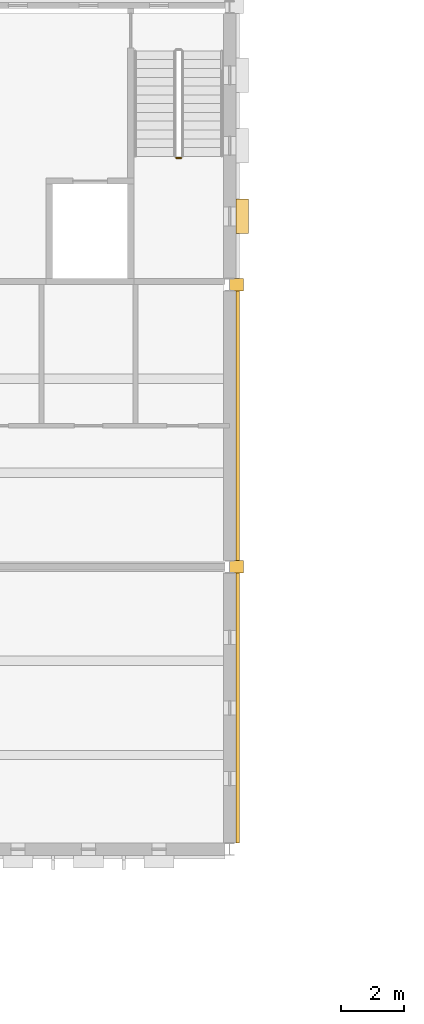
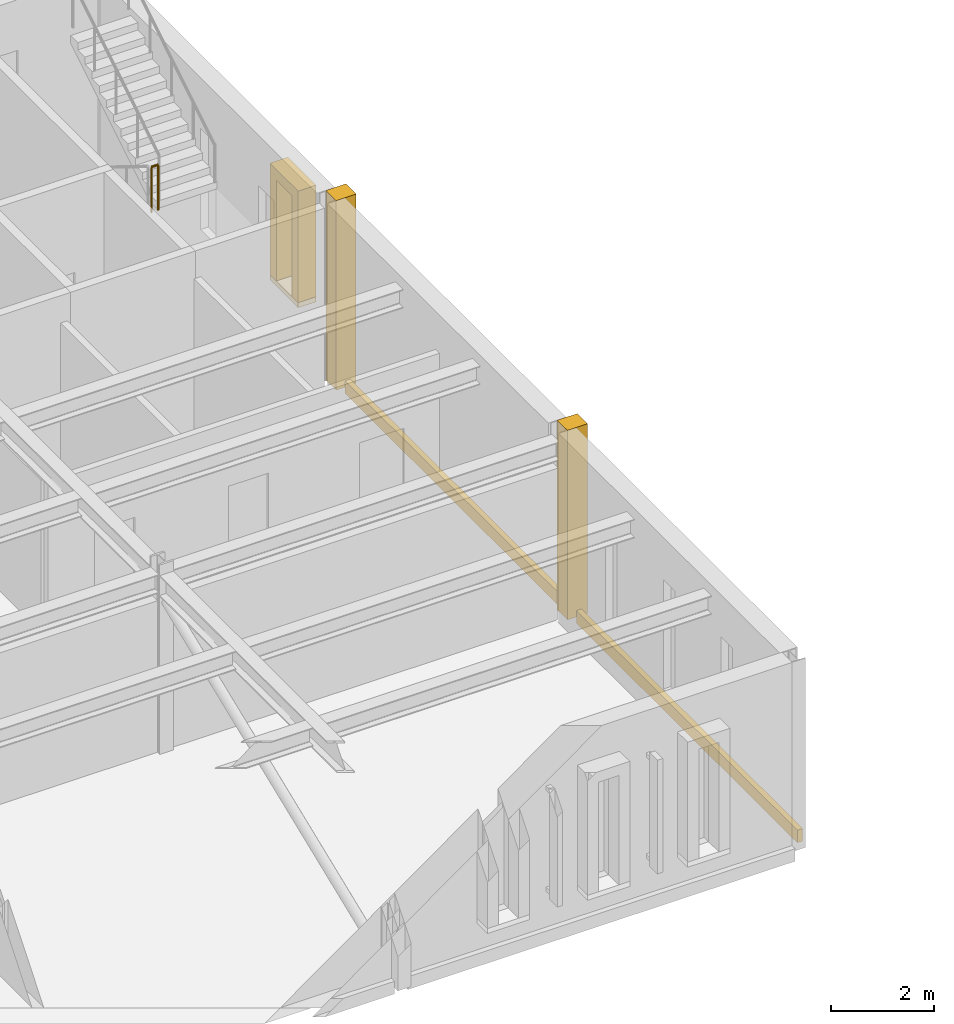
# One storey, part 91 of 111: 6 coverings, 1 railing.
"""IFC4 building model written with IfcOpenShell, lengths in metres."""

from ifc_helpers import new_model, si_unit, direction, frame, origin, origin_2d, place, context, subcontext, project, spatial, polyline, rectangle, circle, outline, extrude, material, layer, layer_set, type_object, element, save


model = new_model("IFC4")

# Units and contexts
model_context = context("Model", 3, precision=1e-05, world=origin(), true_north=direction((0.0, 1.0)))
body_context = subcontext(model_context, "Body", "Model", "MODEL_VIEW")
ifc_project = project(units=[si_unit("LENGTHUNIT", "METRE"), si_unit("AREAUNIT", "SQUARE_METRE"), si_unit("VOLUMEUNIT", "CUBIC_METRE"), si_unit("PLANEANGLEUNIT", "RADIAN"), si_unit("MASSUNIT", "GRAM", prefix="KILO")], contexts=[model_context])

# Site, building, storey
site_placement = place(None, origin())
site = spatial("IfcSite", under=ifc_project, at=site_placement, CompositionType="ELEMENT")
building_placement = place(site_placement, origin())
building = spatial("IfcBuilding", under=site, at=building_placement, Name="Kallimachos Central Library", CompositionType="ELEMENT")
storey_placement = place(building_placement, frame((0.0, 0.0, 14.39990234375)))
storey = spatial("IfcBuildingStorey", under=building, at=storey_placement, Name="L03", CompositionType="ELEMENT", Elevation=14.39990234375)

# Coverings
ifc_material_1 = material(Name="Pentelic marble pilaster", Category="masonry")
ifc_layer_1 = layer(ifc_material_1, 0.25)
ifc_layer_set_1 = layer_set([ifc_layer_1], Name="Stone pilaster 250")
covering_type_1 = type_object("IfcCoveringType", Name="Stone pilaster 250", PredefinedType="CLADDING", material=ifc_layer_set_1)
for number, where, z_axis, x_axis, name in (
    (1, (101.72509765625, 27.0, 0.0), (0.0, 0.0, 1.0), (1.0, 0.0, 0.0), "Stone pilaster 250 -L03-019"),
    (2, (101.72509765625, 36.0, 0.0), (0.0, 0.0, 1.0), (1.0, 0.0, 0.0), "Stone pilaster 250 -L03-020"),
):
    element("IfcCovering", number, at=place(storey_placement, frame(where, z_axis=z_axis, x_axis=x_axis)), inside=storey, type_object=covering_type_1, Name=name, PredefinedType="CLADDING", context=body_context, shape_type="SweptSolid", body=[
        extrude(rectangle(XDim=0.449951171875, YDim=0.39990234375, at=origin_2d()), origin(), (0.0, 0.0, 1.0), 4.5),
    ])
ifc_material_2 = material(Name="Pentelic marble string course", Category="masonry")
ifc_layer_2 = layer(ifc_material_2, 0.1201171875)
ifc_layer_set_2 = layer_set([ifc_layer_2], Name="Stone string course 300")
covering_type_2 = type_object("IfcCoveringType", Name="Stone string course 300", PredefinedType="MOLDING", material=ifc_layer_set_2)
for number, where, z_axis, x_axis, name in (
    (3, (101.760009765625, 22.5, -0.14990234375), (0.0, 0.0, 1.0), (1.0, 0.0, 0.0), "Stone string course 300 -L03-019"),
    (4, (101.760009765625, 31.5, -0.14990234375), (0.0, 0.0, 1.0), (1.0, 0.0, 0.0), "Stone string course 300 -L03-020"),
):
    element("IfcCovering", number, at=place(storey_placement, frame(where, z_axis=z_axis, x_axis=x_axis)), inside=storey, type_object=covering_type_2, Name=name, PredefinedType="MOLDING", context=body_context, shape_type="SweptSolid", body=[
        extrude(rectangle(XDim=0.1201171875, YDim=8.60009765625, at=origin_2d()), origin(), (0.0, 0.0, 1.0), 0.300048828125),
    ])
ifc_material_3 = material(Name="Pentelic marble window sill", Category="masonry")
ifc_layer_3 = layer(ifc_material_3, 0.39990234375)
ifc_layer_set_3 = layer_set([ifc_layer_3], Name="Tower window sill block 400")
covering_type_3 = type_object("IfcCoveringType", Name="Tower window sill block 400", PredefinedType="MOLDING", material=ifc_layer_set_3)
covering_1_placement = place(storey_placement, frame((101.89990234375, 38.175048828125, 0.780029296875), z_axis=(0.0, 0.0, 1.0), x_axis=(1.0, 0.0, 0.0)))
element("IfcCovering", 5, at=covering_1_placement, inside=storey, type_object=covering_type_3, Name="Tower window sill block", PredefinedType="MOLDING", context=body_context, shape_type="SweptSolid", body=[
    extrude(rectangle(XDim=0.39990234375, YDim=1.10009765625, at=origin_2d()), origin(), (0.0, 0.0, 1.0), 0.1201171875),
])
ifc_material_4 = material(Name="Pentelic marble window surround", Category="masonry")
ifc_layer_4 = layer(ifc_material_4, 0.39990234375)
ifc_layer_set_4 = layer_set([ifc_layer_4], Name="Tower window surround 400")
covering_type_4 = type_object("IfcCoveringType", Name="Tower window surround 400", PredefinedType="MOLDING", material=ifc_layer_set_4)
covering_2_placement = place(storey_placement, frame((102.10009765625, 37.875, 0.900146484375), z_axis=(1.0, 0.0, 0.0), x_axis=(0.0, 0.0, 1.0)))
element("IfcCovering", 6, at=covering_2_placement, inside=storey, type_object=covering_type_4, Name="Tower window surround -WIN-L03-029", PredefinedType="MOLDING", context=body_context, shape_type="SweptSolid", body=[
    extrude(outline(polyline([(0.0, 0.0), (2.39990234375, 0.0), (2.39990234375, -0.60009765625), (0.0, -0.60009765625), (0.0, -0.85009765625), (2.64990234375, -0.85009765625), (2.64990234375, 0.25), (0.0, 0.25), (0.0, 0.0)])), origin(), (0.0, 0.0, -1.0), 0.39990234375),
])

# Railing
ifc_material_5 = material(Name="Steel S355J2", Category="steel")
railing_type = type_object("IfcRailingType", Name="Wrought-iron guard 1100", PredefinedType="GUARDRAIL", material=ifc_material_5)
railing_placement = place(storey_placement, frame((99.800048828125, 40.0400390625, 2.25)))
element("IfcRailing", 7, at=railing_placement, inside=storey, type_object=railing_type, Name="L03 ST14 stair guard 2", PredefinedType="GUARDRAIL", context=body_context, shape_type="SweptSolid", body=[
    extrude(circle(Radius=0.02392578125, at=origin_2d()), frame((0.0, 0.0, 1.076171875), z_axis=(1.0, 0.0, 0.0), x_axis=(0.0, 1.0, 0.0)), (0.0, 0.0, 1.0), 0.14990234375),
    extrude(circle(Radius=0.02099609375, at=origin_2d()), origin(), (0.0, 0.0, 1.0), 1.052001953125),
    extrude(circle(Radius=0.02099609375, at=origin_2d()), frame((0.14990234375, 0.0, 0.0)), (0.0, 0.0, 1.0), 1.052001953125),
])

save(model, "model.ifc")
